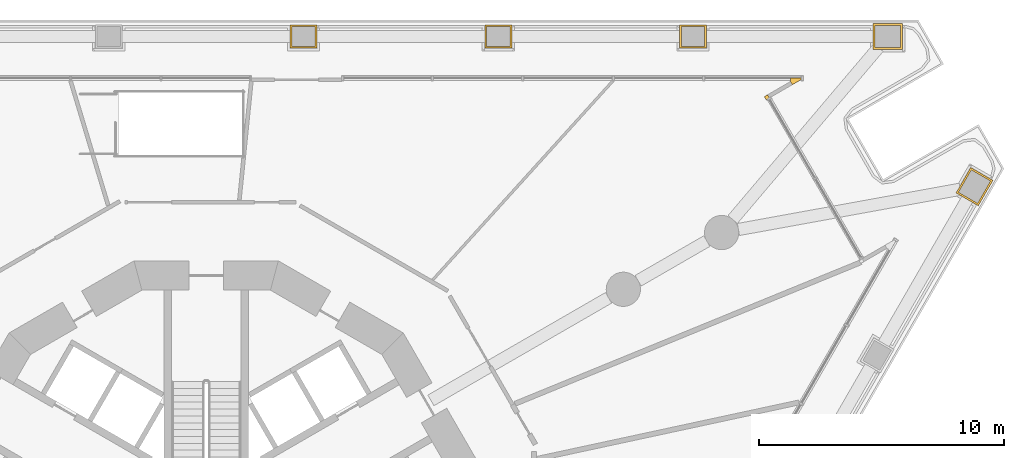
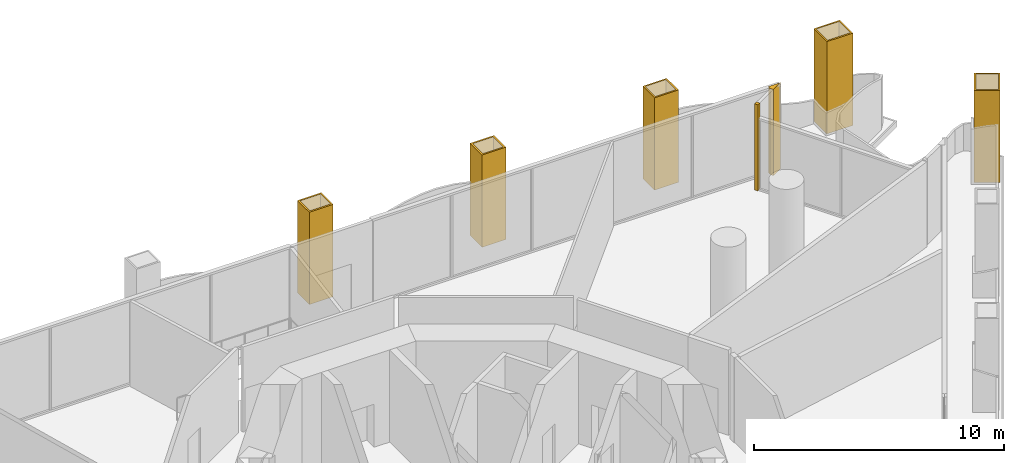
# One storey, part 21 of 21: 7 coverings.
"""IFC4 building model written with IfcOpenShell, lengths in metres."""

from ifc_helpers import new_model, si_unit, direction, frame, origin, place, context, subcontext, project, spatial, polyline, outline, extrude, material, layer, layer_set, type_object, element, save


model = new_model("IFC4")

# Units and contexts
model_context = context("Model", 3, precision=1e-05, world=origin(), true_north=direction((0.0, 1.0)))
body_context = subcontext(model_context, "Body", "Model", "MODEL_VIEW")
ifc_project = project(units=[si_unit("LENGTHUNIT", "METRE"), si_unit("AREAUNIT", "SQUARE_METRE"), si_unit("VOLUMEUNIT", "CUBIC_METRE"), si_unit("PLANEANGLEUNIT", "RADIAN"), si_unit("MASSUNIT", "GRAM", prefix="KILO")], contexts=[model_context])

# Site, building, storey
site_placement = place(None, origin())
site = spatial("IfcSite", under=ifc_project, at=site_placement, CompositionType="ELEMENT")
building_placement = place(site_placement, origin())
building = spatial("IfcBuilding", under=site, at=building_placement, Name="Trine Commons Tower", CompositionType="ELEMENT")
storey_placement = place(building_placement, frame((0.0, 0.0, 27.0)))
storey = spatial("IfcBuildingStorey", under=building, at=storey_placement, Name="L05", CompositionType="ELEMENT", Elevation=27.0)

# Coverings
ifc_material_1 = material(Name="Aluminium-framed insulated wall panel", Category="aluminium")
ifc_layer_1 = layer(ifc_material_1, 0.14990234375)
ifc_layer_set_1 = layer_set([ifc_layer_1], Name="Aluminium-framed insulated wall panel")
covering_type_1 = type_object("IfcCoveringType", Name="Glazing corner post, aluminium", PredefinedType="CLADDING", material=ifc_layer_set_1)
covering_1_placement = place(storey_placement, origin())
element("IfcCovering", 1, at=covering_1_placement, inside=storey, type_object=covering_type_1, Name="Glazing corner post 1-05", PredefinedType="CLADDING", context=body_context, shape_type="SweptSolid", body=[
    extrude(outline(polyline([(103.96875, 80.714599609375), (104.45361328125, 80.99462890625), (103.893798828125, 80.99462890625), (103.893798828125, 80.844482421875), (103.96875, 80.714599609375)])), origin(), (0.0, 0.0, 1.0), 4.199951171875),
])
covering_2_placement = place(storey_placement, origin())
element("IfcCovering", 2, at=covering_2_placement, inside=storey, type_object=covering_type_1, Name="Glazing corner post 1-06", PredefinedType="CLADDING", context=body_context, shape_type="SweptSolid", body=[
    extrude(outline(polyline([(102.898681640625, 80.0966796875), (103.028564453125, 80.171875), (102.95361328125, 80.3017578125), (102.823486328125, 80.226806640625), (102.898681640625, 80.0966796875)])), origin(), (0.0, 0.0, 1.0), 4.199951171875),
])
ifc_material_2 = material(Name="Limestone, honed", Category="masonry")
ifc_layer_2 = layer(ifc_material_2, 0.074951171875)
ifc_layer_set_2 = layer_set([ifc_layer_2], Name="Limestone, honed")
covering_type_2 = type_object("IfcCoveringType", Name="Limestone column cladding 75", PredefinedType="CLADDING", material=ifc_layer_set_2)
covering_3_placement = place(storey_placement, origin())
element("IfcCovering", 3, at=covering_3_placement, inside=storey, type_object=covering_type_2, Name="Limestone pier cladding 1-13", PredefinedType="CLADDING", context=body_context, shape_type="SweptSolid", body=[
    extrude(outline(polyline([(84.53173828125, 82.209716796875), (84.53173828125, 83.15966796875), (83.431640625, 83.15966796875), (83.431640625, 82.209716796875), (84.53173828125, 82.209716796875)]), holes=[polyline([(84.456787109375, 82.28466796875), (84.456787109375, 83.084716796875), (83.506591796875, 83.084716796875), (83.506591796875, 82.28466796875), (84.456787109375, 82.28466796875)])]), origin(), (0.0, 0.0, 1.0), 4.5),
])
covering_4_placement = place(storey_placement, origin())
element("IfcCovering", 4, at=covering_4_placement, inside=storey, type_object=covering_type_2, Name="Limestone pier cladding 1-14", PredefinedType="CLADDING", context=body_context, shape_type="SweptSolid", body=[
    extrude(outline(polyline([(92.4951171875, 82.209716796875), (92.4951171875, 83.15966796875), (91.39501953125, 83.15966796875), (91.39501953125, 82.209716796875), (92.4951171875, 82.209716796875)]), holes=[polyline([(92.420166015625, 82.28466796875), (92.420166015625, 83.084716796875), (91.47021484375, 83.084716796875), (91.47021484375, 82.28466796875), (92.420166015625, 82.28466796875)])]), origin(), (0.0, 0.0, 1.0), 4.5),
])
covering_5_placement = place(storey_placement, origin())
element("IfcCovering", 5, at=covering_5_placement, inside=storey, type_object=covering_type_2, Name="Limestone pier cladding 1-15", PredefinedType="CLADDING", context=body_context, shape_type="SweptSolid", body=[
    extrude(outline(polyline([(100.45849609375, 82.209716796875), (100.45849609375, 83.15966796875), (99.3583984375, 83.15966796875), (99.3583984375, 82.209716796875), (100.45849609375, 82.209716796875)]), holes=[polyline([(100.38330078125, 82.28466796875), (100.38330078125, 83.084716796875), (99.433349609375, 83.084716796875), (99.433349609375, 82.28466796875), (100.38330078125, 82.28466796875)])]), origin(), (0.0, 0.0, 1.0), 4.5),
])
covering_6_placement = place(storey_placement, origin())
element("IfcCovering", 6, at=covering_6_placement, inside=storey, type_object=covering_type_2, Name="Limestone pier cladding 1-16", PredefinedType="CLADDING", context=body_context, shape_type="SweptSolid", body=[
    extrude(outline(polyline([(108.4716796875, 82.15966796875), (108.4716796875, 83.209716796875), (107.271728515625, 83.209716796875), (107.271728515625, 82.15966796875), (108.4716796875, 82.15966796875)]), holes=[polyline([(108.396728515625, 82.234619140625), (108.396728515625, 83.134521484375), (107.3466796875, 83.134521484375), (107.3466796875, 82.234619140625), (108.396728515625, 82.234619140625)])]), origin(), (0.0, 0.0, 1.0), 4.5),
])
covering_7_placement = place(storey_placement, origin())
element("IfcCovering", 7, at=covering_7_placement, inside=storey, type_object=covering_type_2, Name="Limestone pier cladding 1-17", PredefinedType="CLADDING", context=body_context, shape_type="SweptSolid", body=[
    extrude(outline(polyline([(112.1708984375, 76.802490234375), (111.26171875, 77.327392578125), (110.66162109375, 76.288330078125), (111.571044921875, 75.76318359375), (112.1708984375, 76.802490234375)]), holes=[polyline([(112.068603515625, 76.775146484375), (111.2890625, 77.22509765625), (110.76416015625, 76.315673828125), (111.54345703125, 75.86572265625), (112.068603515625, 76.775146484375)])]), origin(), (0.0, 0.0, 1.0), 4.5),
])

save(model, "model.ifc")
